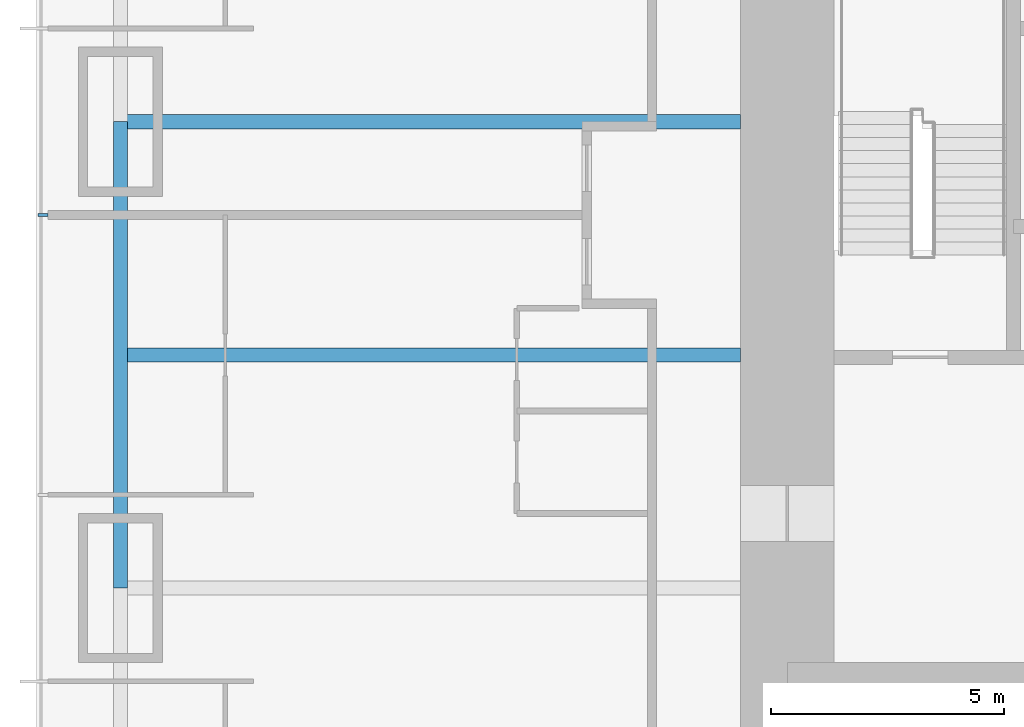
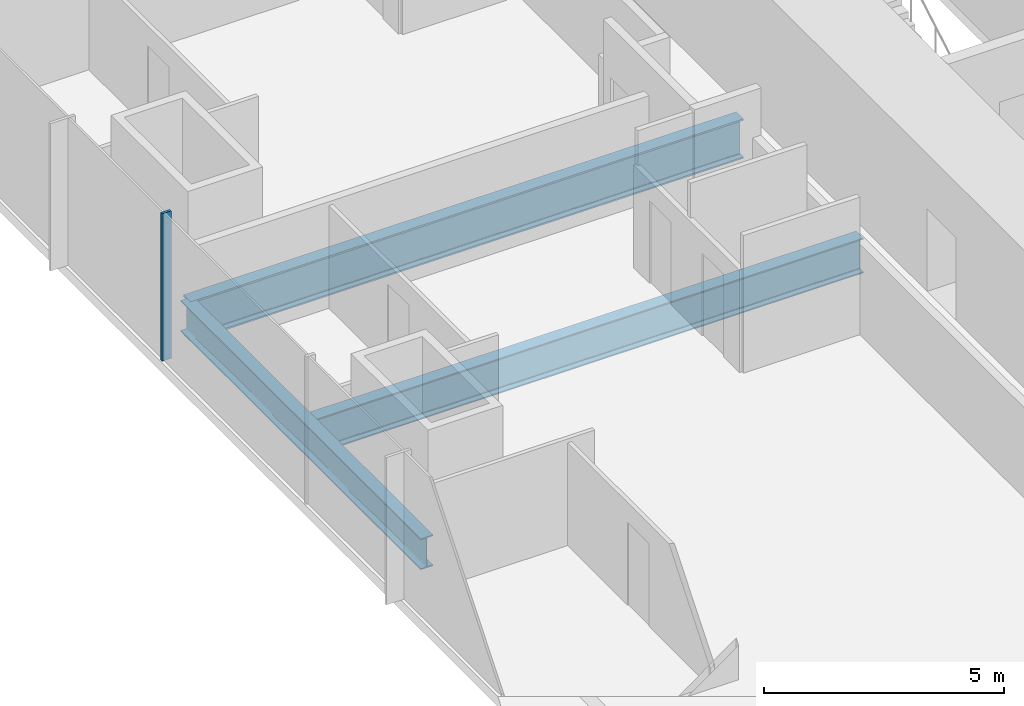
# One storey, part 3 of 17: 3 beams, 1 member, 1 element without a shape of its own.
"""IFC4 building model written with IfcOpenShell, lengths in metres."""

from ifc_helpers import new_model, si_unit, direction, frame, origin, origin_2d, place, context, subcontext, project, spatial, rectangle, i_section, extrude, material, material_profile, profile_set, type_object, element, aggregate, save


model = new_model("IFC4")

# Units and contexts
model_context = context("Model", 3, precision=1e-05, world=origin(), true_north=direction((0.0, 1.0)))
body_context = subcontext(model_context, "Body", "Model", "MODEL_VIEW")
ifc_project = project(units=[si_unit("LENGTHUNIT", "METRE"), si_unit("AREAUNIT", "SQUARE_METRE"), si_unit("VOLUMEUNIT", "CUBIC_METRE"), si_unit("PLANEANGLEUNIT", "RADIAN"), si_unit("MASSUNIT", "GRAM", prefix="KILO")], contexts=[model_context])

# Site, building, storey
site_placement = place(None, origin())
site = spatial("IfcSite", under=ifc_project, at=site_placement, CompositionType="ELEMENT")
building_placement = place(site_placement, origin())
building = spatial("IfcBuilding", under=site, at=building_placement, Name="Khuree Lantern Residences", CompositionType="ELEMENT")
storey_placement = place(building_placement, frame((0.0, 0.0, 51.0)))
storey = spatial("IfcBuildingStorey", under=building, at=storey_placement, Name="L12", CompositionType="ELEMENT", Elevation=51.0)

# Beams
ifc_material_1 = material(Name="Steel S355", Category="steel")
ifc_material_profile_1 = material_profile(ifc_material_1, i_section(OverallWidth=0.300048828125, OverallDepth=0.889892578125, WebThickness=0.01611328125, FlangeThickness=0.030029296875, FilletRadius=0.030029296875, at=origin_2d()), Name="HE 900 A")
ifc_profile_set_1 = profile_set([ifc_material_profile_1], Name="Steel S355")
beam_type_1 = type_object("IfcBeamType", Name="B-13 SECONDARY BEAM HE 900 A", PredefinedType="BEAM", material=ifc_profile_set_1)
beam_1_placement = place(storey_placement, frame((-29.800048828125, -5.0, -0.695068359375), z_axis=(1.0, 0.0, 0.0), x_axis=(0.0, 1.0, 0.0)))
element("IfcBeam", 1, at=beam_1_placement, inside=storey, type_object=beam_type_1, Name="Secondary beam W3", PredefinedType="BEAM", context=body_context, shape_type="SweptSolid", body=[
    extrude(i_section(OverallWidth=0.300048828125, OverallDepth=0.889892578125, WebThickness=0.01611328125, FlangeThickness=0.030029296875, FilletRadius=0.030029296875, at=origin_2d()), origin(), (0.0, 0.0, 1.0), 13.300048828125),
])
ifc_material_profile_2 = material_profile(ifc_material_1, i_section(OverallWidth=0.300048828125, OverallDepth=0.7900390625, WebThickness=0.014892578125, FlangeThickness=0.028076171875, FilletRadius=0.030029296875, at=origin_2d()), Name="HE 800 A")
ifc_profile_set_2 = profile_set([ifc_material_profile_2], Name="Steel S355")
beam_type_2 = type_object("IfcBeamType", Name="E-13 SPANDREL BEAM HE 800 A", PredefinedType="SPANDREL", material=ifc_profile_set_2)
beam_2_placement = place(storey_placement, frame((-29.800048828125, -10.0, -0.64501953125), z_axis=(0.0, 1.0, 0.0), x_axis=(-1.0, 0.0, 0.0)))
element("IfcBeam", 2, at=beam_2_placement, inside=storey, type_object=beam_type_2, Name="Spandrel beam W3", PredefinedType="SPANDREL", context=body_context, shape_type="SweptSolid", body=[
    extrude(i_section(OverallWidth=0.300048828125, OverallDepth=0.7900390625, WebThickness=0.014892578125, FlangeThickness=0.028076171875, FilletRadius=0.030029296875, at=origin_2d()), origin(), (0.0, 0.0, 1.0), 10.0),
])
ifc_material_profile_3 = material_profile(ifc_material_1, i_section(OverallWidth=0.302001953125, OverallDepth=1.008056640625, WebThickness=0.02099609375, FlangeThickness=0.0400390625, FilletRadius=0.030029296875, at=origin_2d()), Name="HE 1000 M")
ifc_profile_set_3 = profile_set([ifc_material_profile_3], Name="Steel S355")
beam_type_3 = type_object("IfcBeamType", Name="G-13 GIRDER HE 1000 M", PredefinedType="BEAM", material=ifc_profile_set_3)
beam_3_placement = place(storey_placement, frame((-29.800048828125, 0.0, -0.75390625), z_axis=(1.0, 0.0, 0.0), x_axis=(0.0, 1.0, 0.0)))
element("IfcBeam", 3, at=beam_3_placement, inside=storey, type_object=beam_type_3, Name="Girder W3", PredefinedType="BEAM", context=body_context, shape_type="SweptSolid", body=[
    extrude(i_section(OverallWidth=0.302001953125, OverallDepth=1.008056640625, WebThickness=0.02099609375, FlangeThickness=0.0400390625, FilletRadius=0.030029296875, at=origin_2d()), origin(), (0.0, 0.0, 1.0), 13.300048828125),
])

# Curtain wall, member
ifc_material_2 = material(Name="Bronze anodised aluminium", Category="aluminium")
curtain_wall_type = type_object("IfcCurtainWallType", Name="CW-T1 TOWER FACE CURTAIN WALL", PredefinedType="USERDEFINED", material=ifc_material_2)
curtain_wall_placement = place(storey_placement, origin())
curtain_wall = element("IfcCurtainWall", 4, at=curtain_wall_placement, inside=storey, type_object=curtain_wall_type, Name="L12 WEST FACE CURTAIN WALL", ObjectType="Stick-built curtain wall", PredefinedType="USERDEFINED")
ifc_material_profile_4 = material_profile(ifc_material_2, rectangle(XDim=0.06494140625, YDim=0.219970703125, at=origin_2d()), Name="M1 65X220")
ifc_profile_set_4 = profile_set([ifc_material_profile_4], Name="Bronze anodised aluminium")
member_type = type_object("IfcMemberType", Name="M1 BRONZE MULLION TOWER 65X220", PredefinedType="MULLION", material=ifc_profile_set_4)
member_placement = place(storey_placement, frame((-31.4599609375, -2.0, 0.0), z_axis=(0.0, 0.0, 1.0), x_axis=(0.0, -1.0, 0.0)))
member = element("IfcMember", 5, at=member_placement, type_object=member_type, Name="L12 WEST FACE MULLION 38", PredefinedType="MULLION", context=body_context, shape_type="SweptSolid", body=[
    extrude(rectangle(XDim=0.06494140625, YDim=0.219970703125, at=origin_2d()), origin(), (0.0, 0.0, 1.0), 3.75),
])
aggregate(curtain_wall, [member])

save(model, "model.ifc")
